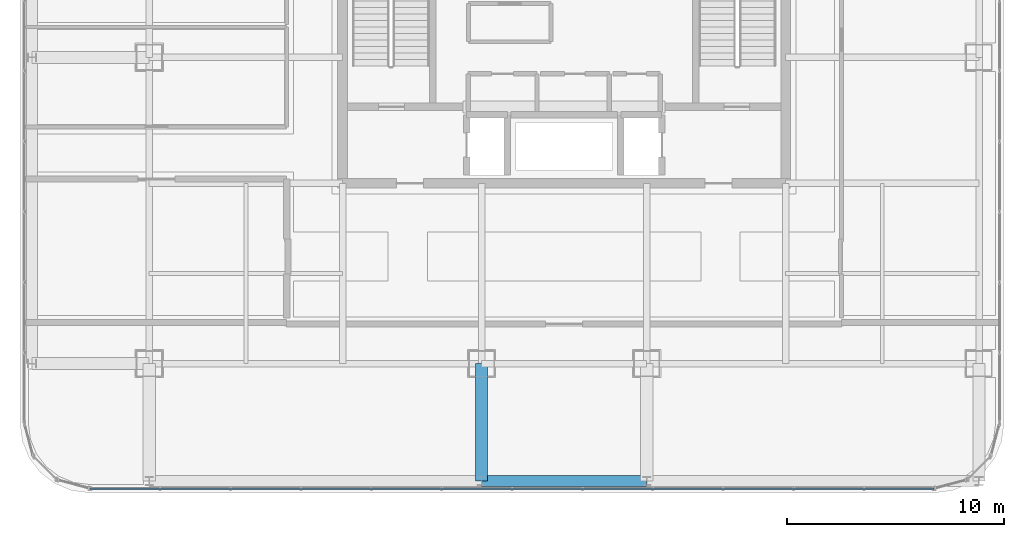
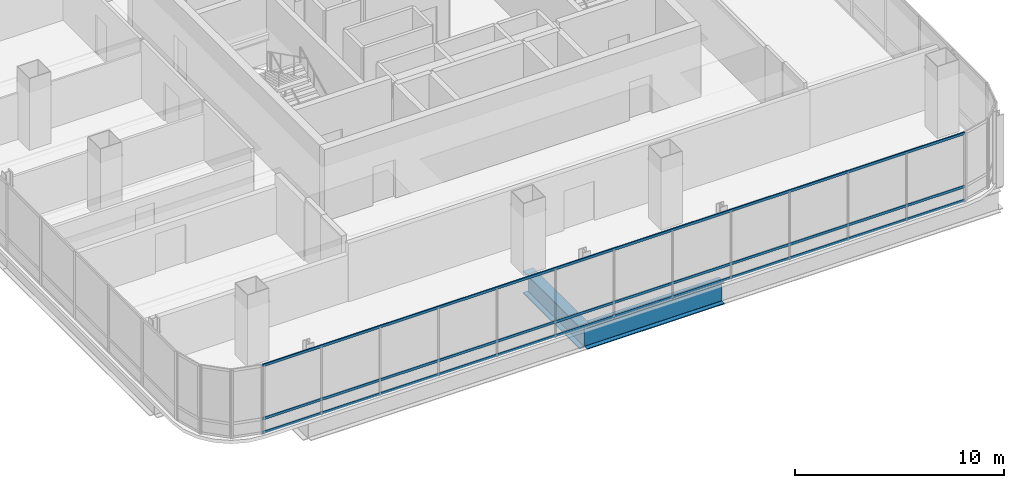
# One storey, part 8 of 42: 3 members, 2 beams, 1 element without a shape of its own.
"""IFC4 building model written with IfcOpenShell, lengths in metres."""

from ifc_helpers import new_model, si_unit, direction, frame, origin, origin_2d, place, context, subcontext, project, spatial, hollow_rectangle, i_section, extrude, material, material_profile, profile_set, type_object, element, aggregate, save


model = new_model("IFC4")

# Units and contexts
model_context = context("Model", 3, precision=1e-05, world=origin(), true_north=direction((0.0, 1.0)))
body_context = subcontext(model_context, "Body", "Model", "MODEL_VIEW")
ifc_project = project(units=[si_unit("LENGTHUNIT", "METRE"), si_unit("AREAUNIT", "SQUARE_METRE"), si_unit("VOLUMEUNIT", "CUBIC_METRE"), si_unit("PLANEANGLEUNIT", "RADIAN"), si_unit("MASSUNIT", "GRAM", prefix="KILO")], contexts=[model_context])

# Site, building, storey
site_placement = place(None, origin())
site = spatial("IfcSite", under=ifc_project, at=site_placement, CompositionType="ELEMENT")
building_placement = place(site_placement, origin())
building = spatial("IfcBuilding", under=site, at=building_placement, Name="Punatoya Terracotta Tower", CompositionType="ELEMENT")
storey_placement = place(building_placement, frame((0.0, 0.0, 325.800048828125)))
storey = spatial("IfcBuildingStorey", under=building, at=storey_placement, Name="L77", CompositionType="ELEMENT", Elevation=325.800048828125)

# Beams
ifc_material_1 = material(Name="Steel S460", Category="steel")
ifc_material_profile_1 = material_profile(ifc_material_1, i_section(OverallWidth=0.56005859375, OverallDepth=1.320068359375, WebThickness=0.035888671875, FlangeThickness=0.054931640625, FilletRadius=0.01806640625, at=origin_2d()))
ifc_profile_set_1 = profile_set([ifc_material_profile_1], Name="Steel S460")
beam_type_1 = type_object("IfcBeamType", Name="BM-TG-BLK", PredefinedType="BEAM", material=ifc_profile_set_1)
beam_1_placement = place(storey_placement, frame((-3.800048828125, -22.89990234375, -0.860107421875), z_axis=(0.0, 1.0, 0.0), x_axis=(-1.0, 0.0, 0.0)))
element("IfcBeam", 1, at=beam_1_placement, inside=storey, type_object=beam_type_1, Name="BM-L77-CANT-S2", PredefinedType="BEAM", context=body_context, shape_type="SweptSolid", body=[
    extrude(i_section(OverallWidth=0.56005859375, OverallDepth=1.320068359375, WebThickness=0.035888671875, FlangeThickness=0.054931640625, FilletRadius=0.01806640625, at=origin_2d()), origin(), (0.0, 0.0, 1.0), 5.39990234375),
])
ifc_material_profile_2 = material_profile(ifc_material_1, i_section(OverallWidth=0.52001953125, OverallDepth=1.280029296875, WebThickness=0.031982421875, FlangeThickness=0.050048828125, FilletRadius=0.01806640625, at=origin_2d()))
ifc_profile_set_2 = profile_set([ifc_material_profile_2], Name="Steel S460")
beam_type_2 = type_object("IfcBeamType", Name="BM-TG-NCK", PredefinedType="BEAM", material=ifc_profile_set_2)
beam_2_placement = place(storey_placement, frame((-3.800048828125, -22.89990234375, -0.840087890625), z_axis=(1.0, 0.0, 0.0), x_axis=(0.0, 1.0, 0.0)))
element("IfcBeam", 2, at=beam_2_placement, inside=storey, type_object=beam_type_2, Name="BM-L77-PER-S2", PredefinedType="BEAM", context=body_context, shape_type="SweptSolid", body=[
    extrude(i_section(OverallWidth=0.52001953125, OverallDepth=1.280029296875, WebThickness=0.031982421875, FlangeThickness=0.050048828125, FilletRadius=0.01806640625, at=origin_2d()), origin(), (0.0, 0.0, 1.0), 7.60009765625),
])

# Curtain wall, members
ifc_material_2 = material(Name="Aluminium 6063-T6 + Double Low-E Glass", Category="aluminium")
curtain_wall_type = type_object("IfcCurtainWallType", Name="CW-OBS", PredefinedType="NOTDEFINED", material=ifc_material_2)
curtain_wall_placement = place(storey_placement, origin())
curtain_wall = element("IfcCurtainWall", 3, at=curtain_wall_placement, inside=storey, type_object=curtain_wall_type, Name="L77 Curtain Wall CW-L77-S01-1", PredefinedType="NOTDEFINED")
ifc_material_3 = material(Name="Aluminium 6063-T6", Category="aluminium")
ifc_material_profile_3 = material_profile(ifc_material_3, hollow_rectangle(XDim=0.068115234375, YDim=0.14990234375, WallThickness=0.00390625, at=origin_2d()))
ifc_profile_set_3 = profile_set([ifc_material_profile_3], Name="Aluminium 6063-T6")
member_type = type_object("IfcMemberType", Name="CW-TRN-TYP", PredefinedType="USERDEFINED", material=ifc_profile_set_3)
member_1_placement = place(storey_placement, frame((-21.8369140625, -23.25, 0.0400390625), z_axis=(1.0, 0.0, 0.0), x_axis=(0.0, 1.0, 0.0)))
member_1 = element("IfcMember", 4, at=member_1_placement, type_object=member_type, Name="CW-L77-S01-1 Transom 1", ObjectType="TRANSOM", PredefinedType="USERDEFINED", context=body_context, shape_type="SweptSolid", body=[
    extrude(hollow_rectangle(XDim=0.068115234375, YDim=0.14990234375, WallThickness=0.00390625, at=origin_2d()), origin(), (0.0, 0.0, 1.0), 38.873779296875),
])
member_2_placement = place(storey_placement, frame((-21.8369140625, -23.25, 0.849853515625), z_axis=(1.0, 0.0, 0.0), x_axis=(0.0, 1.0, 0.0)))
member_2 = element("IfcMember", 5, at=member_2_placement, type_object=member_type, Name="CW-L77-S01-1 Transom 2", ObjectType="TRANSOM", PredefinedType="USERDEFINED", context=body_context, shape_type="SweptSolid", body=[
    extrude(hollow_rectangle(XDim=0.068115234375, YDim=0.14990234375, WallThickness=0.00390625, at=origin_2d()), origin(), (0.0, 0.0, 1.0), 38.873779296875),
])
member_3_placement = place(storey_placement, frame((-21.8369140625, -23.25, 3.9599609375), z_axis=(1.0, 0.0, 0.0), x_axis=(0.0, 1.0, 0.0)))
member_3 = element("IfcMember", 6, at=member_3_placement, type_object=member_type, Name="CW-L77-S01-1 Transom 3", ObjectType="TRANSOM", PredefinedType="USERDEFINED", context=body_context, shape_type="SweptSolid", body=[
    extrude(hollow_rectangle(XDim=0.068115234375, YDim=0.14990234375, WallThickness=0.00390625, at=origin_2d()), origin(), (0.0, 0.0, 1.0), 38.873779296875),
])
aggregate(curtain_wall, [member_1, member_2, member_3])

save(model, "model.ifc")
